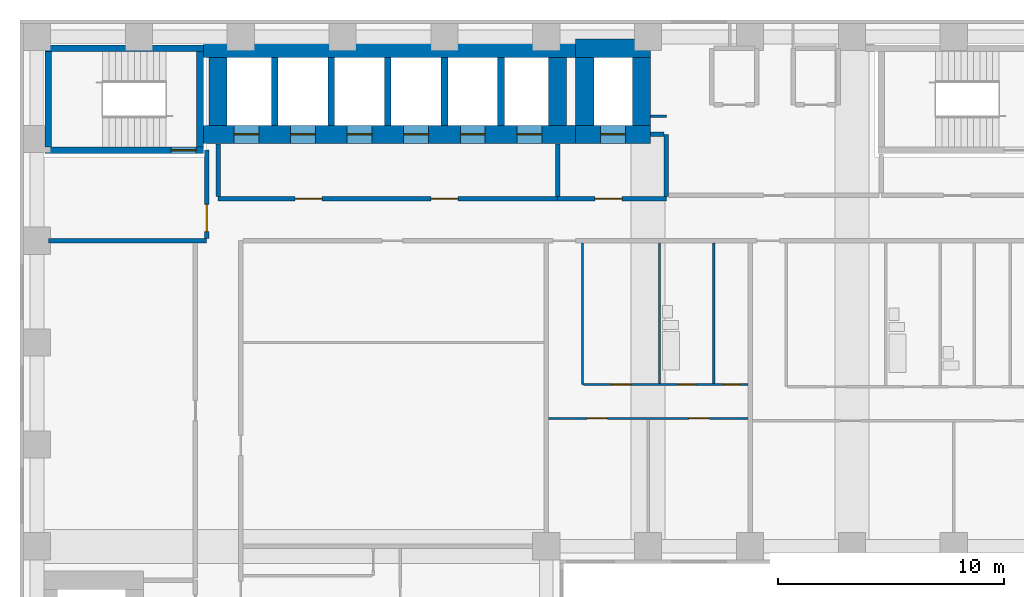
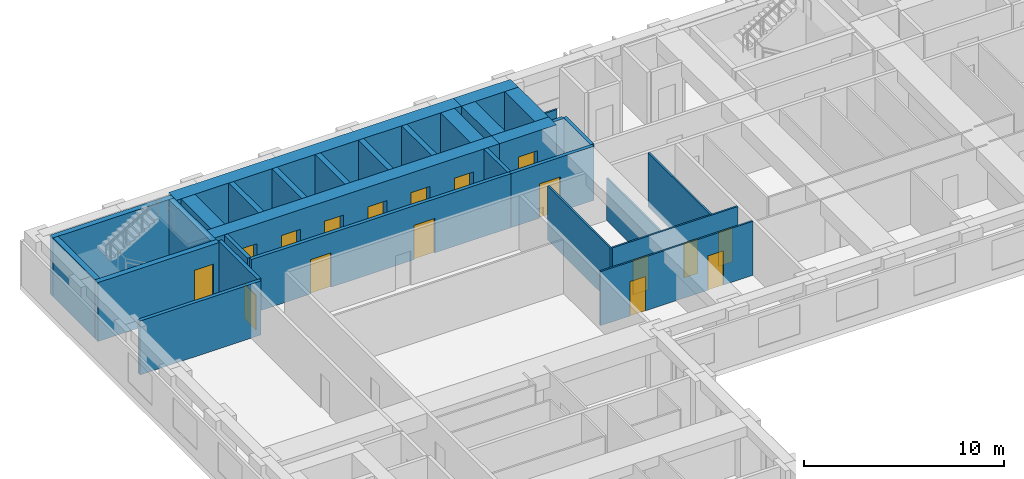
# One storey, part 5 of 11: 31 walls, 17 doors, 17 openings.
"""IFC4 building model written with IfcOpenShell, lengths in metres."""

from ifc_helpers import new_model, si_unit, direction, frame, frame_2d, origin, place, context, subcontext, project, spatial, rectangle, extrude, material, layer, layer_set, type_object, element, fill, save


model = new_model("IFC4")

# Units and contexts
model_context = context("Model", 3, precision=1e-05, world=origin(), true_north=direction((0.0, 1.0)))
body_context = subcontext(model_context, "Body", "Model", "MODEL_VIEW")
ifc_project = project(units=[si_unit("LENGTHUNIT", "METRE"), si_unit("AREAUNIT", "SQUARE_METRE"), si_unit("VOLUMEUNIT", "CUBIC_METRE"), si_unit("PLANEANGLEUNIT", "RADIAN"), si_unit("MASSUNIT", "GRAM", prefix="KILO")], contexts=[model_context])

# Site, building, storey
site_placement = place(None, origin())
site = spatial("IfcSite", under=ifc_project, at=site_placement, CompositionType="ELEMENT")
building_placement = place(site_placement, origin())
building = spatial("IfcBuilding", under=site, at=building_placement, Name="Firuza Court", CompositionType="ELEMENT")
storey_placement = place(building_placement, frame((0.0, 0.0, 86.60009765625)))
storey = spatial("IfcBuildingStorey", under=building, at=storey_placement, Name="L21", CompositionType="ELEMENT", Elevation=86.60009765625)

# Walls
ifc_material_1 = material(Name="Moisture-resistant gypsum board partition")
ifc_layer_1 = layer(ifc_material_1, 0.10009765625)
ifc_layer_set_1 = layer_set([ifc_layer_1], Name="Moisture-resistant gypsum board partition")
wall_type_1 = type_object("IfcWallType", Name="Bathroom partition 100", PredefinedType="PLUMBINGWALL", material=ifc_layer_set_1)
wall_1_placement = place(storey_placement, frame((27.5, 43.199951171875, 0.0), z_axis=(0.0, 0.0, 1.0), x_axis=(0.0, 1.0, 0.0)))
element("IfcWall", 1, at=wall_1_placement, inside=storey, type_object=wall_type_1, Name="Bathroom partition 100 L21", PredefinedType="PLUMBINGWALL", context=body_context, shape_type="SweptSolid", body=[
    extrude(rectangle(XDim=6.199951171875, YDim=0.10009765625, at=frame_2d((3.10009765625, 0.0))), origin(), (0.0, 0.0, 1.0), 2.599853515625),
])
wall_2_placement = place(storey_placement, frame((29.89990234375, 43.199951171875, 0.0), z_axis=(0.0, 0.0, 1.0), x_axis=(0.0, 1.0, 0.0)))
element("IfcWall", 2, at=wall_2_placement, inside=storey, type_object=wall_type_1, Name="Bathroom partition 100 L21", PredefinedType="PLUMBINGWALL", context=body_context, shape_type="SweptSolid", body=[
    extrude(rectangle(XDim=6.199951171875, YDim=0.10009765625, at=frame_2d((3.10009765625, 0.0))), origin(), (0.0, 0.0, 1.0), 3.2998046875),
])

# Wall, opening, door
ifc_material_2 = material(Name="Concrete C60/75", Category="concrete")
ifc_layer_2 = layer(ifc_material_2, 0.300048828125)
ifc_layer_set_2 = layer_set([ifc_layer_2], Name="Concrete C60/75")
wall_type_2 = type_object("IfcWallType", Name="Core wall 300 C60/75", PredefinedType="SHEAR", material=ifc_layer_set_2)
wall_3_placement = place(storey_placement, frame((0.35009765625, 53.5, -0.300048828125), z_axis=(0.0, 0.0, 1.0), x_axis=(1.0, 0.0, 0.0)))
wall_3 = element("IfcWall", 3, at=wall_3_placement, inside=storey, type_object=wall_type_2, Name="Core wall stair L21", PredefinedType="SHEAR", context=body_context, shape_type="SweptSolid", body=[
    extrude(rectangle(XDim=7.0, YDim=0.300048828125, at=frame_2d((3.5, 0.0))), origin(), (0.0, 0.0, 1.0), 3.599853515625),
])
opening_1_placement = place(wall_3_placement, frame((5.580078125, 0.0, 0.300048828125)))
opening_1 = element("IfcOpeningElement", 4, at=opening_1_placement, cuts=wall_3, Name="Opening D21016", PredefinedType="OPENING", context=body_context, shape_type="SweptSolid", body=[
    extrude(rectangle(XDim=1.10009765625, YDim=2.10009765625, at=frame_2d((0.550048828125, 1.050048828125))), frame((0.0, 0.162109375, 0.0), z_axis=(0.0, -1.0, 0.0), x_axis=(1.0, 0.0, 0.0)), (0.0, 0.0, 1.0), 0.323974609375),
])
ifc_material_3 = material(Name="Timber door leaf in hardwood frame", Category="wood")
door_type_1 = type_object("IfcDoorType", Name="Stair door 1100", OperationType="SINGLE_SWING_LEFT", PredefinedType="DOOR", material=ifc_material_3)
door_1_placement = place(opening_1_placement, origin())
door_1 = element("IfcDoor", 5, at=door_1_placement, inside=storey, type_object=door_type_1, Name="Stair door S3", OperationType="SINGLE_SWING_RIGHT", OverallHeight=2.10009765625, OverallWidth=1.10009765625, PredefinedType="DOOR", context=body_context, shape_type="SweptSolid", body=[
    extrude(rectangle(XDim=1.10009765625, YDim=2.10009765625, at=frame_2d((0.550048828125, 1.050048828125))), frame((0.0, 0.02490234375, 0.0), z_axis=(0.0, -1.0, 0.0), x_axis=(1.0, 0.0, 0.0)), (0.0, 0.0, 1.0), 0.050048828125),
])
fill(opening_1, door_1)

# Walls
wall_4_placement = place(storey_placement, frame((0.35009765625, 58.0, -0.300048828125), z_axis=(0.0, 0.0, 1.0), x_axis=(1.0, 0.0, 0.0)))
element("IfcWall", 6, at=wall_4_placement, inside=storey, type_object=wall_type_2, Name="Core wall stair L21", PredefinedType="SHEAR", context=body_context, shape_type="SweptSolid", body=[
    extrude(rectangle(XDim=7.0, YDim=0.300048828125, at=frame_2d((3.5, 0.0))), origin(), (0.0, 0.0, 1.0), 3.599853515625),
])
for number, where, z_axis, x_axis, name in (
    (7, (0.5, 53.64990234375, -0.300048828125), (0.0, 0.0, 1.0), (0.0, 1.0, 0.0), "Core wall stair L21"),
    (8, (7.199951171875, 53.64990234375, -0.300048828125), (0.0, 0.0, 1.0), (0.0, 1.0, 0.0), "Core wall stair L21"),
):
    element("IfcWall", number, at=place(storey_placement, frame(where, z_axis=z_axis, x_axis=x_axis)), inside=storey, type_object=wall_type_2, Name=name, PredefinedType="SHEAR", context=body_context, shape_type="SweptSolid", body=[
        extrude(rectangle(XDim=4.2001953125, YDim=0.300048828125, at=frame_2d((2.10009765625, 0.0))), origin(), (0.0, 0.0, 1.0), 3.599853515625),
    ])
for number, where, z_axis, x_axis, name in (
    (9, (10.5, 54.60009765625, -0.300048828125), (0.0, 0.0, 1.0), (0.0, 1.0, 0.0), "Core wall lift shaft L21"),
    (10, (13.0, 54.60009765625, -0.300048828125), (0.0, 0.0, 1.0), (0.0, 1.0, 0.0), "Core wall lift shaft L21"),
    (11, (15.5, 54.60009765625, -0.300048828125), (0.0, 0.0, 1.0), (0.0, 1.0, 0.0), "Core wall lift shaft L21"),
    (12, (18.0, 54.60009765625, -0.300048828125), (0.0, 0.0, 1.0), (0.0, 1.0, 0.0), "Core wall lift shaft L21"),
    (13, (20.5, 54.60009765625, -0.300048828125), (0.0, 0.0, 1.0), (0.0, 1.0, 0.0), "Core wall lift shaft L21"),
):
    element("IfcWall", number, at=place(storey_placement, frame(where, z_axis=z_axis, x_axis=x_axis)), inside=storey, type_object=wall_type_2, Name=name, PredefinedType="SHEAR", context=body_context, shape_type="SweptSolid", body=[
        extrude(rectangle(XDim=3.0, YDim=0.300048828125, at=frame_2d((1.5, 0.0))), origin(), (0.0, 0.0, 1.0), 3.599853515625),
    ])

# Wall, openings, doors
ifc_layer_3 = layer(ifc_material_2, 0.800048828125)
ifc_layer_set_3 = layer_set([ifc_layer_3], Name="Concrete C60/75")
wall_type_3 = type_object("IfcWallType", Name="Core wall 800 C60/75", PredefinedType="SHEAR", material=ifc_layer_set_3)
wall_5_placement = place(storey_placement, frame((7.35009765625, 54.199951171875, -0.300048828125), z_axis=(0.0, 0.0, 1.0), x_axis=(1.0, 0.0, 0.0)))
wall_5 = element("IfcWall", 14, at=wall_5_placement, inside=storey, type_object=wall_type_3, Name="Core wall lift shaft L21", PredefinedType="SHEAR", context=body_context, shape_type="SweptSolid", body=[
    extrude(rectangle(XDim=16.449951171875, YDim=0.800048828125, at=frame_2d((8.22509765625, 0.0))), origin(), (0.0, 0.0, 1.0), 3.599853515625),
])
opening_2_placement = place(wall_5_placement, frame((1.35009765625, 0.0, 0.300048828125)))
opening_2 = element("IfcOpeningElement", 15, at=opening_2_placement, cuts=wall_5, Name="Opening LD-LB1-21", PredefinedType="OPENING", context=body_context, shape_type="SweptSolid", body=[
    extrude(rectangle(XDim=1.10009765625, YDim=2.10009765625, at=frame_2d((0.550048828125, 1.050048828125))), frame((0.0, 0.412109375, 0.0), z_axis=(0.0, -1.0, 0.0), x_axis=(1.0, 0.0, 0.0)), (0.0, 0.0, 1.0), 0.823974609375),
])
opening_3_placement = place(wall_5_placement, frame((3.85009765625, 0.0, 0.300048828125)))
opening_3 = element("IfcOpeningElement", 16, at=opening_3_placement, cuts=wall_5, Name="Opening LD-LB2-21", PredefinedType="OPENING", context=body_context, shape_type="SweptSolid", body=[
    extrude(rectangle(XDim=1.10009765625, YDim=2.10009765625, at=frame_2d((0.550048828125, 1.050048828125))), frame((0.0, 0.412109375, 0.0), z_axis=(0.0, -1.0, 0.0), x_axis=(1.0, 0.0, 0.0)), (0.0, 0.0, 1.0), 0.823974609375),
])
opening_4_placement = place(wall_5_placement, frame((6.35009765625, 0.0, 0.300048828125)))
opening_4 = element("IfcOpeningElement", 17, at=opening_4_placement, cuts=wall_5, Name="Opening LD-LB3-21", PredefinedType="OPENING", context=body_context, shape_type="SweptSolid", body=[
    extrude(rectangle(XDim=1.10009765625, YDim=2.10009765625, at=frame_2d((0.550048828125, 1.050048828125))), frame((0.0, 0.412109375, 0.0), z_axis=(0.0, -1.0, 0.0), x_axis=(1.0, 0.0, 0.0)), (0.0, 0.0, 1.0), 0.823974609375),
])
opening_5_placement = place(wall_5_placement, frame((8.85009765625, 0.0, 0.300048828125)))
opening_5 = element("IfcOpeningElement", 18, at=opening_5_placement, cuts=wall_5, Name="Opening LD-LB4-21", PredefinedType="OPENING", context=body_context, shape_type="SweptSolid", body=[
    extrude(rectangle(XDim=1.10009765625, YDim=2.10009765625, at=frame_2d((0.550048828125, 1.050048828125))), frame((0.0, 0.412109375, 0.0), z_axis=(0.0, -1.0, 0.0), x_axis=(1.0, 0.0, 0.0)), (0.0, 0.0, 1.0), 0.823974609375),
])
opening_6_placement = place(wall_5_placement, frame((11.35009765625, 0.0, 0.300048828125)))
opening_6 = element("IfcOpeningElement", 19, at=opening_6_placement, cuts=wall_5, Name="Opening LD-LB5-21", PredefinedType="OPENING", context=body_context, shape_type="SweptSolid", body=[
    extrude(rectangle(XDim=1.10009765625, YDim=2.10009765625, at=frame_2d((0.550048828125, 1.050048828125))), frame((0.0, 0.412109375, 0.0), z_axis=(0.0, -1.0, 0.0), x_axis=(1.0, 0.0, 0.0)), (0.0, 0.0, 1.0), 0.823974609375),
])
opening_7_placement = place(wall_5_placement, frame((13.85009765625, 0.0, 0.300048828125)))
opening_7 = element("IfcOpeningElement", 20, at=opening_7_placement, cuts=wall_5, Name="Opening LD-LB6-21", PredefinedType="OPENING", context=body_context, shape_type="SweptSolid", body=[
    extrude(rectangle(XDim=1.10009765625, YDim=2.10009765625, at=frame_2d((0.550048828125, 1.050048828125))), frame((0.0, 0.412109375, 0.0), z_axis=(0.0, -1.0, 0.0), x_axis=(1.0, 0.0, 0.0)), (0.0, 0.0, 1.0), 0.823974609375),
])
ifc_material_4 = material(Name="Stainless steel 1.4301 door leaf", Category="steel")
door_type_2 = type_object("IfcDoorType", Name="Lift landing door 1100", OperationType="SLIDING_TO_LEFT", PredefinedType="DOOR", material=ifc_material_4)
door_2_placement = place(opening_2_placement, origin())
door_2 = element("IfcDoor", 21, at=door_2_placement, inside=storey, type_object=door_type_2, Name="Landing door LB1", OperationType="SLIDING_TO_LEFT", OverallHeight=2.10009765625, OverallWidth=1.10009765625, PredefinedType="DOOR", context=body_context, shape_type="SweptSolid", body=[
    extrude(rectangle(XDim=1.10009765625, YDim=2.10009765625, at=frame_2d((0.550048828125, 1.050048828125))), frame((0.0, 0.02490234375, 0.0), z_axis=(0.0, -1.0, 0.0), x_axis=(1.0, 0.0, 0.0)), (0.0, 0.0, 1.0), 0.050048828125),
])
fill(opening_2, door_2)
door_3_placement = place(opening_3_placement, origin())
door_3 = element("IfcDoor", 22, at=door_3_placement, inside=storey, type_object=door_type_2, Name="Landing door LB2", OperationType="SLIDING_TO_LEFT", OverallHeight=2.10009765625, OverallWidth=1.10009765625, PredefinedType="DOOR", context=body_context, shape_type="SweptSolid", body=[
    extrude(rectangle(XDim=1.10009765625, YDim=2.10009765625, at=frame_2d((0.550048828125, 1.050048828125))), frame((0.0, 0.02490234375, 0.0), z_axis=(0.0, -1.0, 0.0), x_axis=(1.0, 0.0, 0.0)), (0.0, 0.0, 1.0), 0.050048828125),
])
fill(opening_3, door_3)
door_4_placement = place(opening_4_placement, origin())
door_4 = element("IfcDoor", 23, at=door_4_placement, inside=storey, type_object=door_type_2, Name="Landing door LB3", OperationType="SLIDING_TO_LEFT", OverallHeight=2.10009765625, OverallWidth=1.10009765625, PredefinedType="DOOR", context=body_context, shape_type="SweptSolid", body=[
    extrude(rectangle(XDim=1.10009765625, YDim=2.10009765625, at=frame_2d((0.550048828125, 1.050048828125))), frame((0.0, 0.02490234375, 0.0), z_axis=(0.0, -1.0, 0.0), x_axis=(1.0, 0.0, 0.0)), (0.0, 0.0, 1.0), 0.050048828125),
])
fill(opening_4, door_4)
door_5_placement = place(opening_5_placement, origin())
door_5 = element("IfcDoor", 24, at=door_5_placement, inside=storey, type_object=door_type_2, Name="Landing door LB4", OperationType="SLIDING_TO_LEFT", OverallHeight=2.10009765625, OverallWidth=1.10009765625, PredefinedType="DOOR", context=body_context, shape_type="SweptSolid", body=[
    extrude(rectangle(XDim=1.10009765625, YDim=2.10009765625, at=frame_2d((0.550048828125, 1.050048828125))), frame((0.0, 0.02490234375, 0.0), z_axis=(0.0, -1.0, 0.0), x_axis=(1.0, 0.0, 0.0)), (0.0, 0.0, 1.0), 0.050048828125),
])
fill(opening_5, door_5)
door_6_placement = place(opening_6_placement, origin())
door_6 = element("IfcDoor", 25, at=door_6_placement, inside=storey, type_object=door_type_2, Name="Landing door LB5", OperationType="SLIDING_TO_LEFT", OverallHeight=2.10009765625, OverallWidth=1.10009765625, PredefinedType="DOOR", context=body_context, shape_type="SweptSolid", body=[
    extrude(rectangle(XDim=1.10009765625, YDim=2.10009765625, at=frame_2d((0.550048828125, 1.050048828125))), frame((0.0, 0.02490234375, 0.0), z_axis=(0.0, -1.0, 0.0), x_axis=(1.0, 0.0, 0.0)), (0.0, 0.0, 1.0), 0.050048828125),
])
fill(opening_6, door_6)
door_7_placement = place(opening_7_placement, origin())
door_7 = element("IfcDoor", 26, at=door_7_placement, inside=storey, type_object=door_type_2, Name="Landing door LB6", OperationType="SLIDING_TO_LEFT", OverallHeight=2.10009765625, OverallWidth=1.10009765625, PredefinedType="DOOR", context=body_context, shape_type="SweptSolid", body=[
    extrude(rectangle(XDim=1.10009765625, YDim=2.10009765625, at=frame_2d((0.550048828125, 1.050048828125))), frame((0.0, 0.02490234375, 0.0), z_axis=(0.0, -1.0, 0.0), x_axis=(1.0, 0.0, 0.0)), (0.0, 0.0, 1.0), 0.050048828125),
])
fill(opening_7, door_7)

# Walls
wall_6_placement = place(storey_placement, frame((7.35009765625, 58.0, -0.300048828125), z_axis=(0.0, 0.0, 1.0), x_axis=(1.0, 0.0, 0.0)))
element("IfcWall", 27, at=wall_6_placement, inside=storey, type_object=wall_type_3, Name="Core wall lift shaft L21", PredefinedType="SHEAR", context=body_context, shape_type="SweptSolid", body=[
    extrude(rectangle(XDim=16.449951171875, YDim=0.800048828125, at=frame_2d((8.22509765625, 0.0))), origin(), (0.0, 0.0, 1.0), 3.599853515625),
])
for number, where, z_axis, x_axis, name in (
    (28, (8.0, 54.60009765625, -0.300048828125), (0.0, 0.0, 1.0), (0.0, 1.0, 0.0), "Core wall lift shaft L21"),
    (29, (23.0, 54.60009765625, -0.300048828125), (0.0, 0.0, 1.0), (0.0, 1.0, 0.0), "Core wall lift shaft L21"),
):
    element("IfcWall", number, at=place(storey_placement, frame(where, z_axis=z_axis, x_axis=x_axis)), inside=storey, type_object=wall_type_3, Name=name, PredefinedType="SHEAR", context=body_context, shape_type="SweptSolid", body=[
        extrude(rectangle(XDim=3.0, YDim=0.800048828125, at=frame_2d((1.5, 0.0))), origin(), (0.0, 0.0, 1.0), 3.599853515625),
    ])

# Wall, opening, door
wall_7_placement = place(storey_placement, frame((23.800048828125, 54.199951171875, -0.300048828125), z_axis=(0.0, 0.0, 1.0), x_axis=(1.0, 0.0, 0.0)))
wall_7 = element("IfcWall", 30, at=wall_7_placement, inside=storey, type_object=wall_type_3, Name="Core wall lift shaft L21", PredefinedType="SHEAR", context=body_context, shape_type="SweptSolid", body=[
    extrude(rectangle(XDim=3.300048828125, YDim=0.800048828125, at=frame_2d((1.64990234375, 0.0))), origin(), (0.0, 0.0, 1.0), 3.599853515625),
])
opening_8_placement = place(wall_7_placement, frame((1.10009765625, 0.0, 0.300048828125)))
opening_8 = element("IfcOpeningElement", 31, at=opening_8_placement, cuts=wall_7, Name="Opening LD-FL3-21", PredefinedType="OPENING", context=body_context, shape_type="SweptSolid", body=[
    extrude(rectangle(XDim=1.10009765625, YDim=2.10009765625, at=frame_2d((0.550048828125, 1.050048828125))), frame((0.0, 0.412109375, 0.0), z_axis=(0.0, -1.0, 0.0), x_axis=(1.0, 0.0, 0.0)), (0.0, 0.0, 1.0), 0.823974609375),
])
door_8_placement = place(opening_8_placement, origin())
door_8 = element("IfcDoor", 32, at=door_8_placement, inside=storey, type_object=door_type_2, Name="Landing door FL3", OperationType="SLIDING_TO_LEFT", OverallHeight=2.10009765625, OverallWidth=1.10009765625, PredefinedType="DOOR", context=body_context, shape_type="SweptSolid", body=[
    extrude(rectangle(XDim=1.10009765625, YDim=2.10009765625, at=frame_2d((0.550048828125, 1.050048828125))), frame((0.0, 0.02490234375, 0.0), z_axis=(0.0, -1.0, 0.0), x_axis=(1.0, 0.0, 0.0)), (0.0, 0.0, 1.0), 0.050048828125),
])
fill(opening_8, door_8)

# Walls
wall_8_placement = place(storey_placement, frame((23.800048828125, 58.0, -0.300048828125), z_axis=(0.0, 0.0, 1.0), x_axis=(1.0, 0.0, 0.0)))
element("IfcWall", 33, at=wall_8_placement, inside=storey, type_object=wall_type_3, Name="Core wall lift shaft L21", PredefinedType="SHEAR", context=body_context, shape_type="SweptSolid", body=[
    extrude(rectangle(XDim=3.300048828125, YDim=0.800048828125, at=frame_2d((1.64990234375, 0.0))), origin(), (0.0, 0.0, 1.0), 3.599853515625),
])
for number, where, z_axis, x_axis, name in (
    (34, (24.199951171875, 54.60009765625, -0.300048828125), (0.0, 0.0, 1.0), (0.0, 1.0, 0.0), "Core wall lift shaft L21"),
    (35, (26.699951171875, 54.60009765625, -0.300048828125), (0.0, 0.0, 1.0), (0.0, 1.0, 0.0), "Core wall lift shaft L21"),
):
    element("IfcWall", number, at=place(storey_placement, frame(where, z_axis=z_axis, x_axis=x_axis)), inside=storey, type_object=wall_type_3, Name=name, PredefinedType="SHEAR", context=body_context, shape_type="SweptSolid", body=[
        extrude(rectangle(XDim=3.0, YDim=0.800048828125, at=frame_2d((1.5, 0.0))), origin(), (0.0, 0.0, 1.0), 3.599853515625),
    ])

# Wall, openings, doors
ifc_material_5 = material(Name="Timber stud partition, plasterboard both sides", Category="wood")
ifc_layer_4 = layer(ifc_material_5, 0.10009765625)
ifc_layer_set_4 = layer_set([ifc_layer_4], Name="Timber stud partition, plasterboard both sides")
wall_type_4 = type_object("IfcWallType", Name="Partition wall 100", PredefinedType="PARTITIONING", material=ifc_layer_set_4)
wall_9_placement = place(storey_placement, frame((22.60009765625, 41.64990234375, 0.0), z_axis=(0.0, 0.0, 1.0), x_axis=(1.0, 0.0, 0.0)))
wall_9 = element("IfcWall", 36, at=wall_9_placement, inside=storey, type_object=wall_type_4, Name="Partition wall 100 L21", PredefinedType="PARTITIONING", context=body_context, shape_type="SweptSolid", body=[
    extrude(rectangle(XDim=8.7998046875, YDim=0.10009765625, at=frame_2d((4.39990234375, 0.0))), origin(), (0.0, 0.0, 1.0), 3.2998046875),
])
opening_9_placement = place(wall_9_placement, frame((1.699951171875, 0.0, 0.0)))
opening_9 = element("IfcOpeningElement", 37, at=opening_9_placement, cuts=wall_9, Name="Opening D21046", PredefinedType="OPENING", context=body_context, shape_type="SweptSolid", body=[
    extrude(rectangle(XDim=0.89990234375, YDim=2.10009765625, at=frame_2d((0.449951171875, 1.050048828125))), frame((0.0, 0.06201171875, 0.0), z_axis=(0.0, -1.0, 0.0), x_axis=(1.0, 0.0, 0.0)), (0.0, 0.0, 1.0), 0.1240234375),
])
opening_10_placement = place(wall_9_placement, frame((6.199951171875, 0.0, 0.0)))
opening_10 = element("IfcOpeningElement", 38, at=opening_10_placement, cuts=wall_9, Name="Opening D21047", PredefinedType="OPENING", context=body_context, shape_type="SweptSolid", body=[
    extrude(rectangle(XDim=0.89990234375, YDim=2.10009765625, at=frame_2d((0.449951171875, 1.050048828125))), frame((0.0, 0.06201171875, 0.0), z_axis=(0.0, -1.0, 0.0), x_axis=(1.0, 0.0, 0.0)), (0.0, 0.0, 1.0), 0.1240234375),
])
ifc_material_6 = material(Name="Timber door leaf in hardwood frame", Category="wood")
door_type_3 = type_object("IfcDoorType", Name="Room door 900", OperationType="SINGLE_SWING_LEFT", PredefinedType="DOOR", material=ifc_material_6)
door_9_placement = place(opening_9_placement, frame((0.89990234375, 0.0, 0.0), z_axis=(0.0, 0.0, 1.0), x_axis=(-1.0, 0.0, 0.0)))
door_9 = element("IfcDoor", 39, at=door_9_placement, inside=storey, type_object=door_type_3, Name="Living room door", OperationType="SINGLE_SWING_RIGHT", OverallHeight=2.10009765625, OverallWidth=0.89990234375, PredefinedType="DOOR", context=body_context, shape_type="SweptSolid", body=[
    extrude(rectangle(XDim=0.89990234375, YDim=2.10009765625, at=frame_2d((0.449951171875, 1.050048828125))), frame((0.0, 0.02490234375, 0.0), z_axis=(0.0, -1.0, 0.0), x_axis=(1.0, 0.0, 0.0)), (0.0, 0.0, 1.0), 0.050048828125),
])
fill(opening_9, door_9)
door_10_placement = place(opening_10_placement, frame((0.89990234375, 0.0, 0.0), z_axis=(0.0, 0.0, 1.0), x_axis=(-1.0, 0.0, 0.0)))
door_10 = element("IfcDoor", 40, at=door_10_placement, inside=storey, type_object=door_type_3, Name="Bedroom door", OperationType="SINGLE_SWING_RIGHT", OverallHeight=2.10009765625, OverallWidth=0.89990234375, PredefinedType="DOOR", context=body_context, shape_type="SweptSolid", body=[
    extrude(rectangle(XDim=0.89990234375, YDim=2.10009765625, at=frame_2d((0.449951171875, 1.050048828125))), frame((0.0, 0.02490234375, 0.0), z_axis=(0.0, -1.0, 0.0), x_axis=(1.0, 0.0, 0.0)), (0.0, 0.0, 1.0), 0.050048828125),
])
fill(opening_10, door_10)

# Wall
wall_10_placement = place(storey_placement, frame((24.10009765625, 43.14990234375, 0.0), z_axis=(0.0, 0.0, 1.0), x_axis=(0.0, 1.0, 0.0)))
element("IfcWall", 41, at=wall_10_placement, inside=storey, type_object=wall_type_4, Name="Partition wall 100 L21", PredefinedType="PARTITIONING", context=body_context, shape_type="SweptSolid", body=[
    extrude(rectangle(XDim=6.25, YDim=0.10009765625, at=frame_2d((3.125, 0.0))), origin(), (0.0, 0.0, 1.0), 3.2998046875),
])

# Wall, openings, doors
wall_11_placement = place(storey_placement, frame((24.14990234375, 43.14990234375, 0.0), z_axis=(0.0, 0.0, 1.0), x_axis=(1.0, 0.0, 0.0)))
wall_11 = element("IfcWall", 42, at=wall_11_placement, inside=storey, type_object=wall_type_4, Name="Partition wall 100 L21", PredefinedType="PARTITIONING", context=body_context, shape_type="SweptSolid", body=[
    extrude(rectangle(XDim=7.25, YDim=0.10009765625, at=frame_2d((3.625, 0.0))), origin(), (0.0, 0.0, 1.0), 3.2998046875),
])
opening_11_placement = place(wall_11_placement, frame((4.14990234375, 0.0, 0.0)))
opening_11 = element("IfcOpeningElement", 43, at=opening_11_placement, cuts=wall_11, Name="Opening D21058", PredefinedType="OPENING", context=body_context, shape_type="SweptSolid", body=[
    extrude(rectangle(XDim=0.800048828125, YDim=2.10009765625, at=frame_2d((0.39990234375, 1.050048828125))), frame((0.0, 0.06201171875, 0.0), z_axis=(0.0, -1.0, 0.0), x_axis=(1.0, 0.0, 0.0)), (0.0, 0.0, 1.0), 0.1240234375),
])
opening_12_placement = place(wall_11_placement, frame((1.199951171875, 0.0, 0.0)))
opening_12 = element("IfcOpeningElement", 44, at=opening_12_placement, cuts=wall_11, Name="Opening D21059", PredefinedType="OPENING", context=body_context, shape_type="SweptSolid", body=[
    extrude(rectangle(XDim=0.89990234375, YDim=2.10009765625, at=frame_2d((0.449951171875, 1.050048828125))), frame((0.0, 0.06201171875, 0.0), z_axis=(0.0, -1.0, 0.0), x_axis=(1.0, 0.0, 0.0)), (0.0, 0.0, 1.0), 0.1240234375),
])
opening_13_placement = place(wall_11_placement, frame((6.14990234375, 0.0, 0.0)))
opening_13 = element("IfcOpeningElement", 45, at=opening_13_placement, cuts=wall_11, Name="Opening D21060", PredefinedType="OPENING", context=body_context, shape_type="SweptSolid", body=[
    extrude(rectangle(XDim=0.800048828125, YDim=2.10009765625, at=frame_2d((0.39990234375, 1.050048828125))), frame((0.0, 0.06201171875, 0.0), z_axis=(0.0, -1.0, 0.0), x_axis=(1.0, 0.0, 0.0)), (0.0, 0.0, 1.0), 0.1240234375),
])
ifc_material_7 = material(Name="Timber door leaf in hardwood frame", Category="wood")
door_type_4 = type_object("IfcDoorType", Name="Bathroom door 800", OperationType="SINGLE_SWING_LEFT", PredefinedType="DOOR", material=ifc_material_7)
door_11_placement = place(opening_11_placement, origin())
door_11 = element("IfcDoor", 46, at=door_11_placement, inside=storey, type_object=door_type_4, Name="Bathroom door", OperationType="SINGLE_SWING_LEFT", OverallHeight=2.10009765625, OverallWidth=0.800048828125, PredefinedType="DOOR", context=body_context, shape_type="SweptSolid", body=[
    extrude(rectangle(XDim=0.800048828125, YDim=2.10009765625, at=frame_2d((0.39990234375, 1.050048828125))), frame((0.0, 0.02490234375, 0.0), z_axis=(0.0, -1.0, 0.0), x_axis=(1.0, 0.0, 0.0)), (0.0, 0.0, 1.0), 0.050048828125),
])
fill(opening_11, door_11)
ifc_material_8 = material(Name="Timber door leaf in hardwood frame", Category="wood")
door_type_5 = type_object("IfcDoorType", Name="Room door 800", OperationType="SINGLE_SWING_LEFT", PredefinedType="DOOR", material=ifc_material_8)
door_12_placement = place(opening_13_placement, origin())
door_12 = element("IfcDoor", 47, at=door_12_placement, inside=storey, type_object=door_type_5, Name="Store door", OperationType="SINGLE_SWING_LEFT", OverallHeight=2.10009765625, OverallWidth=0.800048828125, PredefinedType="DOOR", context=body_context, shape_type="SweptSolid", body=[
    extrude(rectangle(XDim=0.800048828125, YDim=2.10009765625, at=frame_2d((0.39990234375, 1.050048828125))), frame((0.0, 0.02490234375, 0.0), z_axis=(0.0, -1.0, 0.0), x_axis=(1.0, 0.0, 0.0)), (0.0, 0.0, 1.0), 0.050048828125),
])
fill(opening_13, door_12)
door_13_placement = place(opening_12_placement, origin())
door_13 = element("IfcDoor", 48, at=door_13_placement, inside=storey, type_object=door_type_3, Name="Kitchen door", OperationType="SINGLE_SWING_LEFT", OverallHeight=2.10009765625, OverallWidth=0.89990234375, PredefinedType="DOOR", context=body_context, shape_type="SweptSolid", body=[
    extrude(rectangle(XDim=0.89990234375, YDim=2.10009765625, at=frame_2d((0.449951171875, 1.050048828125))), frame((0.0, 0.02490234375, 0.0), z_axis=(0.0, -1.0, 0.0), x_axis=(1.0, 0.0, 0.0)), (0.0, 0.0, 1.0), 0.050048828125),
])
fill(opening_12, door_13)

# Wall
wall_12_placement = place(storey_placement, frame((27.10009765625, 55.0, 0.0), z_axis=(0.0, 0.0, 1.0), x_axis=(1.0, 0.0, 0.0)))
element("IfcWall", 49, at=wall_12_placement, inside=storey, type_object=wall_type_4, Name="Partition wall 100 L21", PredefinedType="PARTITIONING", context=body_context, shape_type="SweptSolid", body=[
    extrude(rectangle(XDim=0.699951171875, YDim=0.10009765625, at=frame_2d((0.35009765625, 0.0))), origin(), (0.0, 0.0, 1.0), 3.2998046875),
])

# Wall, openings, doors
ifc_material_9 = material(Name="Blockwork, fire-rated", Category="masonry")
ifc_layer_5 = layer(ifc_material_9, 0.199951171875)
ifc_layer_set_5 = layer_set([ifc_layer_5], Name="Blockwork, fire-rated")
wall_type_5 = type_object("IfcWallType", Name="Shaft wall 200", PredefinedType="PARTITIONING", material=ifc_layer_set_5)
wall_13_placement = place(storey_placement, frame((8.0, 51.35009765625, 0.0), z_axis=(0.0, 0.0, 1.0), x_axis=(1.0, 0.0, 0.0)))
wall_13 = element("IfcWall", 50, at=wall_13_placement, inside=storey, type_object=wall_type_5, Name="Shaft wall 200 L21", PredefinedType="PARTITIONING", context=body_context, shape_type="SweptSolid", body=[
    extrude(rectangle(XDim=15.0, YDim=0.199951171875, at=frame_2d((7.5, 0.0))), origin(), (0.0, 0.0, 1.0), 3.2998046875),
])
opening_14_placement = place(wall_13_placement, frame((3.39990234375, 0.0, 0.0)))
opening_14 = element("IfcOpeningElement", 51, at=opening_14_placement, cuts=wall_13, Name="Opening D21004", PredefinedType="OPENING", context=body_context, shape_type="SweptSolid", body=[
    extrude(rectangle(XDim=1.199951171875, YDim=2.10009765625, at=frame_2d((0.60009765625, 1.050048828125))), frame((0.0, 0.11181640625, 0.0), z_axis=(0.0, -1.0, 0.0), x_axis=(1.0, 0.0, 0.0)), (0.0, 0.0, 1.0), 0.223876953125),
])
opening_15_placement = place(wall_13_placement, frame((9.39990234375, 0.0, 0.0)))
opening_15 = element("IfcOpeningElement", 52, at=opening_15_placement, cuts=wall_13, Name="Opening D21005", PredefinedType="OPENING", context=body_context, shape_type="SweptSolid", body=[
    extrude(rectangle(XDim=1.199951171875, YDim=2.10009765625, at=frame_2d((0.60009765625, 1.050048828125))), frame((0.0, 0.11181640625, 0.0), z_axis=(0.0, -1.0, 0.0), x_axis=(1.0, 0.0, 0.0)), (0.0, 0.0, 1.0), 0.223876953125),
])
ifc_material_10 = material(Name="Timber door leaf in hardwood frame", Category="wood")
door_type_6 = type_object("IfcDoorType", Name="Lobby door 1200", OperationType="SINGLE_SWING_LEFT", PredefinedType="DOOR", material=ifc_material_10)
door_14_placement = place(opening_14_placement, origin())
door_14 = element("IfcDoor", 53, at=door_14_placement, inside=storey, type_object=door_type_6, Name="Lobby door", OperationType="SINGLE_SWING_LEFT", OverallHeight=2.10009765625, OverallWidth=1.199951171875, PredefinedType="DOOR", context=body_context, shape_type="SweptSolid", body=[
    extrude(rectangle(XDim=1.199951171875, YDim=2.10009765625, at=frame_2d((0.60009765625, 1.050048828125))), frame((0.0, 0.02490234375, 0.0), z_axis=(0.0, -1.0, 0.0), x_axis=(1.0, 0.0, 0.0)), (0.0, 0.0, 1.0), 0.050048828125),
])
fill(opening_14, door_14)
door_15_placement = place(opening_15_placement, origin())
door_15 = element("IfcDoor", 54, at=door_15_placement, inside=storey, type_object=door_type_6, Name="Lobby door", OperationType="SINGLE_SWING_RIGHT", OverallHeight=2.10009765625, OverallWidth=1.199951171875, PredefinedType="DOOR", context=body_context, shape_type="SweptSolid", body=[
    extrude(rectangle(XDim=1.199951171875, YDim=2.10009765625, at=frame_2d((0.60009765625, 1.050048828125))), frame((0.0, 0.02490234375, 0.0), z_axis=(0.0, -1.0, 0.0), x_axis=(1.0, 0.0, 0.0)), (0.0, 0.0, 1.0), 0.050048828125),
])
fill(opening_15, door_15)

# Walls
for number, where, z_axis, x_axis, name in (
    (55, (23.0, 51.449951171875, 0.0), (0.0, 0.0, 1.0), (0.0, 1.0, 0.0), "Shaft wall 200 L21"),
    (56, (8.0, 51.449951171875, 0.0), (0.0, 0.0, 1.0), (0.0, 1.0, 0.0), "Shaft wall 200 L21"),
):
    element("IfcWall", number, at=place(storey_placement, frame(where, z_axis=z_axis, x_axis=x_axis)), inside=storey, type_object=wall_type_5, Name=name, PredefinedType="PARTITIONING", context=body_context, shape_type="SweptSolid", body=[
        extrude(rectangle(XDim=2.330078125, YDim=0.199951171875, at=frame_2d((1.1650390625, 0.0))), origin(), (0.0, 0.0, 1.0), 3.2998046875),
    ])

# Wall, opening, door
wall_14_placement = place(storey_placement, frame((23.0, 51.35009765625, 0.0), z_axis=(0.0, 0.0, 1.0), x_axis=(1.0, 0.0, 0.0)))
wall_14 = element("IfcWall", 57, at=wall_14_placement, inside=storey, type_object=wall_type_5, Name="Shaft wall 200 L21", PredefinedType="PARTITIONING", context=body_context, shape_type="SweptSolid", body=[
    extrude(rectangle(XDim=4.800048828125, YDim=0.199951171875, at=frame_2d((2.39990234375, 0.0))), origin(), (0.0, 0.0, 1.0), 3.2998046875),
])
opening_16_placement = place(wall_14_placement, frame((1.64990234375, 0.0, 0.0)))
opening_16 = element("IfcOpeningElement", 58, at=opening_16_placement, cuts=wall_14, Name="Opening D21003", PredefinedType="OPENING", context=body_context, shape_type="SweptSolid", body=[
    extrude(rectangle(XDim=1.199951171875, YDim=2.10009765625, at=frame_2d((0.60009765625, 1.050048828125))), frame((0.0, 0.11181640625, 0.0), z_axis=(0.0, -1.0, 0.0), x_axis=(1.0, 0.0, 0.0)), (0.0, 0.0, 1.0), 0.223876953125),
])
door_16_placement = place(opening_16_placement, origin())
door_16 = element("IfcDoor", 59, at=door_16_placement, inside=storey, type_object=door_type_6, Name="Fire-fighting lobby door", OperationType="SINGLE_SWING_LEFT", OverallHeight=2.10009765625, OverallWidth=1.199951171875, PredefinedType="DOOR", context=body_context, shape_type="SweptSolid", body=[
    extrude(rectangle(XDim=1.199951171875, YDim=2.10009765625, at=frame_2d((0.60009765625, 1.050048828125))), frame((0.0, 0.02490234375, 0.0), z_axis=(0.0, -1.0, 0.0), x_axis=(1.0, 0.0, 0.0)), (0.0, 0.0, 1.0), 0.050048828125),
])
fill(opening_16, door_16)

# Walls
wall_15_placement = place(storey_placement, frame((27.800048828125, 51.449951171875, 0.0), z_axis=(0.0, 0.0, 1.0), x_axis=(0.0, 1.0, 0.0)))
element("IfcWall", 60, at=wall_15_placement, inside=storey, type_object=wall_type_5, Name="Shaft wall 200 L21", PredefinedType="PARTITIONING", context=body_context, shape_type="SweptSolid", body=[
    extrude(rectangle(XDim=2.75, YDim=0.199951171875, at=frame_2d((1.375, 0.0))), origin(), (0.0, 0.0, 1.0), 3.2998046875),
])
wall_16_placement = place(storey_placement, frame((27.10009765625, 54.199951171875, 0.0), z_axis=(0.0, 0.0, 1.0), x_axis=(1.0, 0.0, 0.0)))
element("IfcWall", 61, at=wall_16_placement, inside=storey, type_object=wall_type_5, Name="Shaft wall 200 L21", PredefinedType="PARTITIONING", context=body_context, shape_type="SweptSolid", body=[
    extrude(rectangle(XDim=0.599853515625, YDim=0.199951171875, at=frame_2d((0.2998046875, 0.0))), origin(), (0.0, 0.0, 1.0), 3.2998046875),
])
wall_17_placement = place(storey_placement, frame((0.5, 49.5, 0.0), z_axis=(0.0, 0.0, 1.0), x_axis=(1.0, 0.0, 0.0)))
element("IfcWall", 62, at=wall_17_placement, inside=storey, type_object=wall_type_5, Name="Shaft wall 200 L21", PredefinedType="PARTITIONING", context=body_context, shape_type="SweptSolid", body=[
    extrude(rectangle(XDim=7.0, YDim=0.199951171875, at=frame_2d((3.5, 0.0))), origin(), (0.0, 0.0, 1.0), 3.2998046875),
])

# Wall, opening, door
wall_18_placement = place(storey_placement, frame((7.5, 49.60009765625, 0.0), z_axis=(0.0, 0.0, 1.0), x_axis=(0.0, 1.0, 0.0)))
wall_18 = element("IfcWall", 63, at=wall_18_placement, inside=storey, type_object=wall_type_5, Name="Shaft wall 200 L21", PredefinedType="PARTITIONING", context=body_context, shape_type="SweptSolid", body=[
    extrude(rectangle(XDim=3.89990234375, YDim=0.199951171875, at=frame_2d((1.949951171875, 0.0))), origin(), (0.0, 0.0, 1.0), 3.2998046875),
])
opening_17_placement = place(wall_18_placement, frame((0.300048828125, 0.0, 0.0)))
opening_17 = element("IfcOpeningElement", 64, at=opening_17_placement, cuts=wall_18, Name="Opening D21001", PredefinedType="OPENING", context=body_context, shape_type="SweptSolid", body=[
    extrude(rectangle(XDim=1.199951171875, YDim=2.10009765625, at=frame_2d((0.60009765625, 1.050048828125))), frame((0.0, 0.11181640625, 0.0), z_axis=(0.0, -1.0, 0.0), x_axis=(1.0, 0.0, 0.0)), (0.0, 0.0, 1.0), 0.223876953125),
])
door_17_placement = place(opening_17_placement, origin())
door_17 = element("IfcDoor", 65, at=door_17_placement, inside=storey, type_object=door_type_6, Name="Lobby door", OperationType="SINGLE_SWING_LEFT", OverallHeight=2.10009765625, OverallWidth=1.199951171875, PredefinedType="DOOR", context=body_context, shape_type="SweptSolid", body=[
    extrude(rectangle(XDim=1.199951171875, YDim=2.10009765625, at=frame_2d((0.60009765625, 1.050048828125))), frame((0.0, 0.02490234375, 0.0), z_axis=(0.0, -1.0, 0.0), x_axis=(1.0, 0.0, 0.0)), (0.0, 0.0, 1.0), 0.050048828125),
])
fill(opening_17, door_17)

save(model, "model.ifc")
